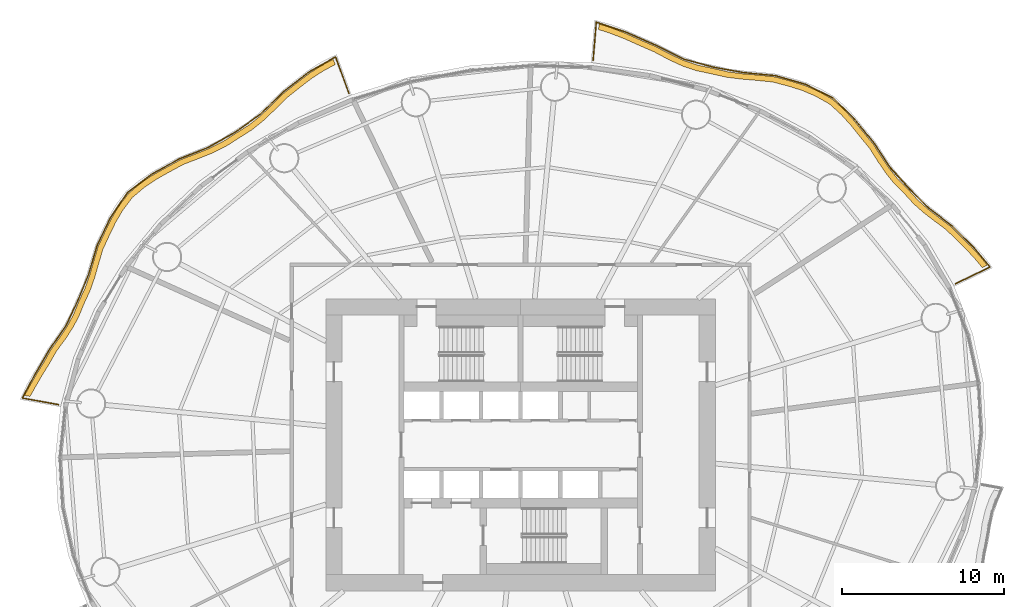
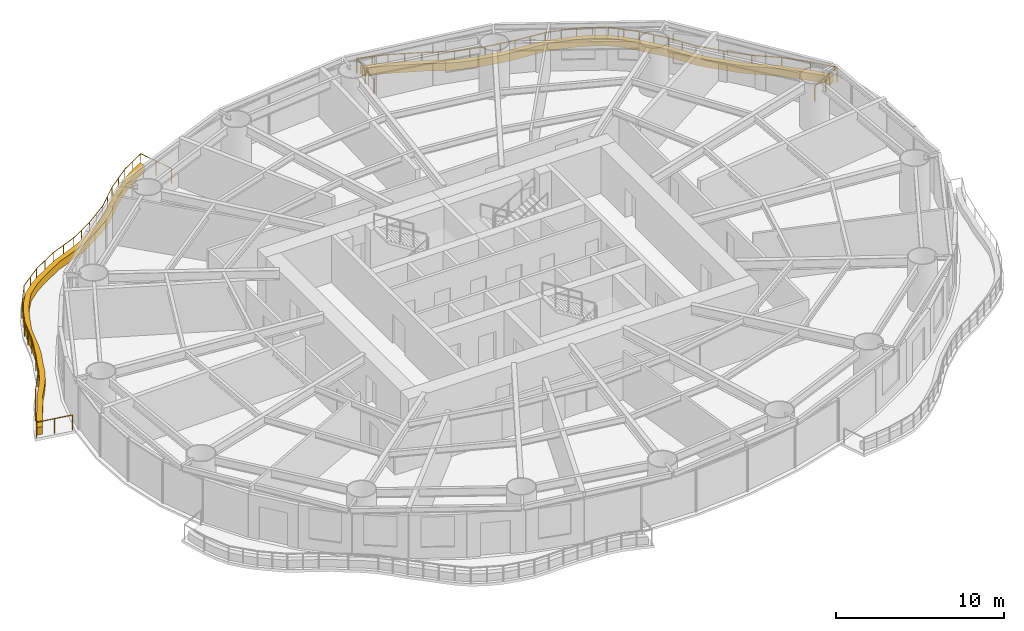
# One storey, part 16 of 16: 2 coverings, 2 railings.
"""IFC4 building model written with IfcOpenShell, lengths in metres."""

from ifc_helpers import new_model, si_unit, direction, frame, origin, origin_2d, place, context, subcontext, project, spatial, polyline, circle, outline, extrude, material, type_object, element, save


model = new_model("IFC4")

# Units and contexts
model_context = context("Model", 3, precision=1e-05, world=origin(), true_north=direction((0.0, 1.0)))
body_context = subcontext(model_context, "Body", "Model", "MODEL_VIEW")
ifc_project = project(units=[si_unit("LENGTHUNIT", "METRE"), si_unit("AREAUNIT", "SQUARE_METRE"), si_unit("VOLUMEUNIT", "CUBIC_METRE"), si_unit("PLANEANGLEUNIT", "RADIAN"), si_unit("MASSUNIT", "GRAM", prefix="KILO")], contexts=[model_context])

# Site, building, storey
site_placement = place(None, origin())
site = spatial("IfcSite", under=ifc_project, at=site_placement, CompositionType="ELEMENT")
building_placement = place(site_placement, origin())
building = spatial("IfcBuilding", under=site, at=building_placement, Name="Vermilion Reach Broadcast Tower", CompositionType="ELEMENT")
storey_placement = place(building_placement, frame((0.0, 0.0, 65.60009765625)))
storey = spatial("IfcBuildingStorey", under=building, at=storey_placement, Name="L13", CompositionType="ELEMENT", Elevation=65.60009765625)

# Coverings
ifc_material_1 = material(Name="Planting soil and greenery")
covering_type = type_object("IfcCoveringType", Name="Balcony PLANTER", PredefinedType="USERDEFINED", material=ifc_material_1)
placement = place(storey_placement, origin())
element("IfcCovering", 1, at=placement, inside=storey, type_object=covering_type, Name="PLANTER L13 group 1", ObjectType="PLANTER", PredefinedType="USERDEFINED", context=body_context, shape_type="SweptSolid", body=[
    extrude(outline(polyline([(22.75390625, 11.072509765625), (22.3193359375, 11.603271484375), (21.771240234375, 12.19873046875), (21.18408203125, 12.77099609375), (20.517333984375, 13.44189453125), (19.75, 14.021484375), (19.091064453125, 14.52734375), (18.48046875, 15.07177734375), (17.884765625, 15.724365234375), (17.2470703125, 16.36279296875), (16.72314453125, 17.01318359375), (16.247802734375, 17.71533203125), (15.724853515625, 18.527099609375), (15.09228515625, 19.2919921875), (14.539306640625, 19.979248046875), (13.95751953125, 20.6259765625), (13.205078125, 21.301513671875), (12.309326171875, 21.803466796875), (11.504638671875, 22.144775390625), (10.658203125, 22.408203125), (9.675048828125, 22.671630859375), (8.633544921875, 22.783935546875), (7.70751953125, 22.859619140625), (6.797607421875, 22.977783203125), (5.8564453125, 23.19189453125), (4.903076171875, 23.394287109375), (4.038818359375, 23.686767578125), (3.198486328125, 24.073974609375), (2.292724609375, 24.552490234375), (1.32958984375, 24.96630859375), (0.45068359375, 25.359619140625), (-0.435546875, 25.701416015625), (-1.16796875, 25.934326171875), (-1.19677734375, 25.585693359375), (-0.4833984375, 25.354736328125), (0.40283203125, 25.012939453125), (1.28173828125, 24.61962890625), (2.225341796875, 24.208984375), (3.11181640625, 23.73486328125), (3.9521484375, 23.34765625), (4.81640625, 23.05517578125), (5.75, 22.8583984375), (6.672119140625, 22.651123046875), (7.581787109375, 22.532958984375), (8.508056640625, 22.457275390625), (9.52978515625, 22.353271484375), (10.493896484375, 22.099365234375), (11.340087890625, 21.8359375), (12.144775390625, 21.494384765625), (13.021240234375, 21.003662109375), (13.7548828125, 20.340576171875), (14.336669921875, 19.69384765625), (14.8896484375, 19.006591796875), (15.50341796875, 18.256103515625), (16.008544921875, 17.4599609375), (16.48388671875, 16.757568359375), (17.0078125, 16.107421875), (17.6279296875, 15.486572265625), (18.20751953125, 14.852783203125), (18.81787109375, 14.308349609375), (19.47705078125, 13.802490234375), (20.228759765625, 13.243896484375), (20.881591796875, 12.594970703125), (21.46875, 12.022705078125), (22.0166015625, 11.427490234375), (22.438720703125, 10.92041015625), (22.75390625, 11.072509765625)])), origin(), (0.0, 0.0, 1.0), 0.5498046875),
])
element("IfcCovering", 2, at=placement, inside=storey, type_object=covering_type, Name="PLANTER L13 group 2", ObjectType="PLANTER", PredefinedType="USERDEFINED", context=body_context, shape_type="SweptSolid", body=[
    extrude(outline(polyline([(-17.538330078125, 23.75390625), (-18.2158203125, 23.407958984375), (-19.00439453125, 22.901123046875), (-19.76171875, 22.321533203125), (-20.592529296875, 21.6650390625), (-21.33447265625, 20.931640625), (-22.013671875, 20.285400390625), (-22.73193359375, 19.708251953125), (-23.55419921875, 19.189453125), (-24.358642578125, 18.67431640625), (-25.169921875, 18.2724609375), (-26.02392578125, 17.92822265625), (-26.9873046875, 17.55029296875), (-27.8759765625, 17.0654296875), (-28.6591796875, 16.62646484375), (-29.39404296875, 16.13623046875), (-30.1806640625, 15.471435546875), (-30.78564453125, 14.666259765625), (-31.22216796875, 13.926513671875), (-31.60302734375, 13.1416015625), (-32.0283203125, 12.23291015625), (-32.311279296875, 11.291015625), (-32.548583984375, 10.466552734375), (-32.82958984375, 9.668701171875), (-33.214111328125, 8.844970703125), (-33.548583984375, 8.027587890625), (-33.931884765625, 7.314208984375), (-34.385498046875, 6.63134765625), (-34.9375, 5.87109375), (-35.39306640625, 5.060546875), (-35.825927734375, 4.35791015625), (-36.236328125, 3.649169921875), (-36.570068359375, 3.044189453125), (-36.225830078125, 2.98095703125), (-35.89794921875, 3.559814453125), (-35.487548828125, 4.268310546875), (-35.0546875, 4.970947265625), (-34.60693359375, 5.756591796875), (-34.064208984375, 6.492431640625), (-33.6103515625, 7.17529296875), (-33.227294921875, 7.888671875), (-32.9033203125, 8.683837890625), (-32.531005859375, 9.48583984375), (-32.250244140625, 10.283447265625), (-32.012939453125, 11.108154296875), (-31.7431640625, 12.0302734375), (-31.33203125, 12.920166015625), (-30.951171875, 13.705078125), (-30.5146484375, 14.444580078125), (-29.924560546875, 15.23291015625), (-29.15380859375, 15.8818359375), (-28.4189453125, 16.3720703125), (-27.635498046875, 16.81103515625), (-26.7626953125, 17.28173828125), (-25.81640625, 17.646484375), (-24.96240234375, 17.99072265625), (-24.15087890625, 18.392578125), (-23.363525390625, 18.89599609375), (-22.55859375, 19.404052734375), (-21.84033203125, 19.9814453125), (-21.1611328125, 20.62744140625), (-20.436767578125, 21.3515625), (-19.623779296875, 21.999755859375), (-18.866455078125, 22.57958984375), (-18.077880859375, 23.086181640625), (-17.418212890625, 23.425048828125), (-17.538330078125, 23.75390625)])), origin(), (0.0, 0.0, 1.0), 0.5498046875),
])

# Railings
ifc_material_2 = material(Name="Stainless steel 316 balustrade", Category="steel")
railing_type = type_object("IfcRailingType", Name="Balcony guard 1100", PredefinedType="BALUSTRADE", material=ifc_material_2)
railing_1_placement = place(storey_placement, frame((20.793212890625, 9.927490234375, 0.0)))
element("IfcRailing", 3, at=railing_1_placement, inside=storey, type_object=railing_type, Name="Balcony guard L13 group 1", PredefinedType="BALUSTRADE", context=body_context, shape_type="SweptSolid", body=[
    extrude(circle(Radius=0.02490234375, at=origin_2d()), frame((0.0, 0.0, 1.0751953125), z_axis=(0.900695597761, 0.434450733886, 0.0), x_axis=(-0.434450733886, 0.900695597761, 0.0)), (0.0, 0.0, 1.0), 2.357421875),
    extrude(circle(Radius=0.02490234375, at=origin_2d()), frame((2.123291015625, 1.024169921875, 1.0751953125), z_axis=(-0.641357447659, 0.767242220118, 0.0), x_axis=(-0.767242220118, -0.641357447659, 0.0)), (0.0, 0.0, 1.0), 1.677490234375),
    extrude(circle(Radius=0.02490234375, at=origin_2d()), frame((1.04736328125, 2.311279296875, 1.0751953125), z_axis=(-0.709582526119, 0.704622337587, 0.0), x_axis=(-0.704622337587, -0.709582526119, 0.0)), (0.0, 0.0, 1.0), 1.77197265625),
    extrude(circle(Radius=0.02490234375, at=origin_2d()), frame((-0.2099609375, 3.559814453125, 1.0751953125), z_axis=(-0.795216579721, 0.606325483001, 0.0), x_axis=(-0.606325483001, -0.795216579721, 0.0)), (0.0, 0.0, 1.0), 1.7978515625),
    extrude(circle(Radius=0.02490234375, at=origin_2d()), frame((-1.6396484375, 4.64990234375, 1.0751953125), z_axis=(-0.709608019693, 0.704596663622, 0.0), x_axis=(-0.704596663622, -0.709608019693, 0.0)), (0.0, 0.0, 1.0), 1.705078125),
    extrude(circle(Radius=0.02490234375, at=origin_2d()), frame((-2.849609375, 5.851318359375, 1.0751953125), z_axis=(-0.669700529797, 0.74263126812, 0.0), x_axis=(-0.74263126812, -0.669700529797, 0.0)), (0.0, 0.0, 1.0), 1.74072265625),
    extrude(circle(Radius=0.02490234375, at=origin_2d()), frame((-4.015380859375, 7.14404296875, 1.0751953125), z_axis=(-0.551163819788, 0.834397054019, 0.0), x_axis=(-0.834397054019, -0.551163819788, 0.0)), (0.0, 0.0, 1.0), 1.81884765625),
    extrude(circle(Radius=0.02490234375, at=origin_2d()), frame((-5.017822265625, 8.66162109375, 1.0751953125), z_axis=(-0.632912387663, 0.77422342353, 0.0), x_axis=(-0.77422342353, -0.632912387663, 0.0)), (0.0, 0.0, 1.0), 1.879638671875),
    extrude(circle(Radius=0.02490234375, at=origin_2d()), frame((-6.20751953125, 10.116943359375, 1.0751953125), z_axis=(-0.710726930937, 0.70346800186, 0.0), x_axis=(-0.70346800186, -0.710726930937, 0.0)), (0.0, 0.0, 1.0), 1.883544921875),
    extrude(circle(Radius=0.02490234375, at=origin_2d()), frame((-7.546142578125, 11.44189453125, 1.0751953125), z_axis=(-0.895731749753, 0.444594908298, 0.0), x_axis=(-0.444594908298, -0.895731749753, 0.0)), (0.0, 0.0, 1.0), 1.9033203125),
    extrude(circle(Radius=0.02490234375, at=origin_2d()), frame((-9.2509765625, 12.2880859375, 1.0751953125), z_axis=(-0.960855027378, 0.277051649268, 0.0), x_axis=(-0.277051649268, -0.960855027378, 0.0)), (0.0, 0.0, 1.0), 1.90869140625),
    extrude(circle(Radius=0.02490234375, at=origin_2d()), frame((-11.0849609375, 12.81689453125, 1.0751953125), z_axis=(-0.995394116511, 0.095867370964, 0.0), x_axis=(-0.095867370964, -0.995394116511, 0.0)), (0.0, 0.0, 1.0), 1.981201171875),
    extrude(circle(Radius=0.02490234375, at=origin_2d()), frame((-13.05712890625, 13.0068359375, 1.0751953125), z_axis=(-0.984205894573, 0.177027560248, 0.0), x_axis=(-0.177027560248, -0.984205894573, 0.0)), (0.0, 0.0, 1.0), 1.88525390625),
    extrude(circle(Radius=0.02490234375, at=origin_2d()), frame((-14.91259765625, 13.340576171875, 1.0751953125), z_axis=(-0.964874128134, 0.262712612672, 0.0), x_axis=(-0.262712612672, -0.964874128134, 0.0)), (0.0, 0.0, 1.0), 1.888427734375),
    extrude(circle(Radius=0.02490234375, at=origin_2d()), frame((-16.734619140625, 13.836669921875, 1.0751953125), z_axis=(-0.896120484945, 0.44381085663, 0.0), x_axis=(-0.44381085663, -0.896120484945, 0.0)), (0.0, 0.0, 1.0), 1.953369140625),
    extrude(circle(Radius=0.02490234375, at=origin_2d()), frame((-18.485107421875, 14.70361328125, 1.0751953125), z_axis=(-0.916148994216, 0.400837897906, 0.0), x_axis=(-0.400837897906, -0.916148994216, 0.0)), (0.0, 0.0, 1.0), 2.015380859375),
    extrude(circle(Radius=0.02490234375, at=origin_2d()), frame((-20.33154296875, 15.511474609375, 1.0751953125), z_axis=(-0.948786111242, 0.315919159144, 0.0), x_axis=(-0.315919159144, -0.948786111242, 0.0)), (0.0, 0.0, 1.0), 1.898681640625),
    extrude(circle(Radius=0.02490234375, at=origin_2d()), frame((-22.133056640625, 16.111328125, 1.0751953125), z_axis=(-0.082256681355, -0.996611177126, 0.0), x_axis=(0.996611177126, -0.082256681355, 0.0)), (0.0, 0.0, 1.0), 2.356689453125),
    extrude(circle(Radius=0.02490234375, at=origin_2d()), origin(), (0.0, 0.0, 1.0), 1.050048828125),
    extrude(circle(Radius=0.02490234375, at=origin_2d()), frame((1.0615234375, 0.51220703125, 0.0)), (0.0, 0.0, 1.0), 1.050048828125),
    extrude(circle(Radius=0.02490234375, at=origin_2d()), frame((2.123291015625, 1.024169921875, 0.0)), (0.0, 0.0, 1.0), 1.050048828125),
    extrude(circle(Radius=0.02490234375, at=origin_2d()), frame((1.04736328125, 2.311279296875, 0.0)), (0.0, 0.0, 1.0), 1.050048828125),
    extrude(circle(Radius=0.02490234375, at=origin_2d()), frame((-0.2099609375, 3.559814453125, 0.0)), (0.0, 0.0, 1.0), 1.050048828125),
    extrude(circle(Radius=0.02490234375, at=origin_2d()), frame((-1.6396484375, 4.64990234375, 0.0)), (0.0, 0.0, 1.0), 1.050048828125),
    extrude(circle(Radius=0.02490234375, at=origin_2d()), frame((-2.849609375, 5.851318359375, 0.0)), (0.0, 0.0, 1.0), 1.050048828125),
    extrude(circle(Radius=0.02490234375, at=origin_2d()), frame((-4.015380859375, 7.14404296875, 0.0)), (0.0, 0.0, 1.0), 1.050048828125),
    extrude(circle(Radius=0.02490234375, at=origin_2d()), frame((-4.5166015625, 7.90283203125, 0.0)), (0.0, 0.0, 1.0), 1.050048828125),
    extrude(circle(Radius=0.02490234375, at=origin_2d()), frame((-5.017822265625, 8.66162109375, 0.0)), (0.0, 0.0, 1.0), 1.050048828125),
    extrude(circle(Radius=0.02490234375, at=origin_2d()), frame((-5.61279296875, 9.38916015625, 0.0)), (0.0, 0.0, 1.0), 1.050048828125),
    extrude(circle(Radius=0.02490234375, at=origin_2d()), frame((-6.20751953125, 10.116943359375, 0.0)), (0.0, 0.0, 1.0), 1.050048828125),
    extrude(circle(Radius=0.02490234375, at=origin_2d()), frame((-6.876953125, 10.779296875, 0.0)), (0.0, 0.0, 1.0), 1.050048828125),
    extrude(circle(Radius=0.02490234375, at=origin_2d()), frame((-7.546142578125, 11.44189453125, 0.0)), (0.0, 0.0, 1.0), 1.050048828125),
    extrude(circle(Radius=0.02490234375, at=origin_2d()), frame((-8.3984375, 11.864990234375, 0.0)), (0.0, 0.0, 1.0), 1.050048828125),
    extrude(circle(Radius=0.02490234375, at=origin_2d()), frame((-9.2509765625, 12.2880859375, 0.0)), (0.0, 0.0, 1.0), 1.050048828125),
    extrude(circle(Radius=0.02490234375, at=origin_2d()), frame((-10.16796875, 12.552490234375, 0.0)), (0.0, 0.0, 1.0), 1.050048828125),
    extrude(circle(Radius=0.02490234375, at=origin_2d()), frame((-11.0849609375, 12.81689453125, 0.0)), (0.0, 0.0, 1.0), 1.050048828125),
    extrude(circle(Radius=0.02490234375, at=origin_2d()), frame((-12.071044921875, 12.911865234375, 0.0)), (0.0, 0.0, 1.0), 1.050048828125),
    extrude(circle(Radius=0.02490234375, at=origin_2d()), frame((-13.05712890625, 13.0068359375, 0.0)), (0.0, 0.0, 1.0), 1.050048828125),
    extrude(circle(Radius=0.02490234375, at=origin_2d()), frame((-13.98486328125, 13.173828125, 0.0)), (0.0, 0.0, 1.0), 1.050048828125),
    extrude(circle(Radius=0.02490234375, at=origin_2d()), frame((-14.91259765625, 13.340576171875, 0.0)), (0.0, 0.0, 1.0), 1.050048828125),
    extrude(circle(Radius=0.02490234375, at=origin_2d()), frame((-15.82373046875, 13.588623046875, 0.0)), (0.0, 0.0, 1.0), 1.050048828125),
    extrude(circle(Radius=0.02490234375, at=origin_2d()), frame((-16.734619140625, 13.836669921875, 0.0)), (0.0, 0.0, 1.0), 1.050048828125),
    extrude(circle(Radius=0.02490234375, at=origin_2d()), frame((-17.60986328125, 14.27001953125, 0.0)), (0.0, 0.0, 1.0), 1.050048828125),
    extrude(circle(Radius=0.02490234375, at=origin_2d()), frame((-18.485107421875, 14.70361328125, 0.0)), (0.0, 0.0, 1.0), 1.050048828125),
    extrude(circle(Radius=0.02490234375, at=origin_2d()), frame((-19.408203125, 15.107421875, 0.0)), (0.0, 0.0, 1.0), 1.050048828125),
    extrude(circle(Radius=0.02490234375, at=origin_2d()), frame((-20.33154296875, 15.511474609375, 0.0)), (0.0, 0.0, 1.0), 1.050048828125),
    extrude(circle(Radius=0.02490234375, at=origin_2d()), frame((-21.232421875, 15.8115234375, 0.0)), (0.0, 0.0, 1.0), 1.050048828125),
    extrude(circle(Radius=0.02490234375, at=origin_2d()), frame((-22.133056640625, 16.111328125, 0.0)), (0.0, 0.0, 1.0), 1.050048828125),
    extrude(circle(Radius=0.02490234375, at=origin_2d()), frame((-22.22998046875, 14.93701171875, 0.0)), (0.0, 0.0, 1.0), 1.050048828125),
    extrude(circle(Radius=0.02490234375, at=origin_2d()), frame((-22.326904296875, 13.7626953125, 0.0)), (0.0, 0.0, 1.0), 1.050048828125),
])
railing_2_placement = place(storey_placement, frame((-16.58203125, 21.6611328125, 0.0)))
element("IfcRailing", 4, at=railing_2_placement, inside=storey, type_object=railing_type, Name="Balcony guard L13 group 2", PredefinedType="BALUSTRADE", context=body_context, shape_type="SweptSolid", body=[
    extrude(circle(Radius=0.02490234375, at=origin_2d()), frame((0.0, 0.0, 1.0751953125), z_axis=(-0.343321538058, 0.939217930784, 0.0), x_axis=(-0.939217930784, -0.343321538058, 0.0)), (0.0, 0.0, 1.0), 2.383544921875),
    extrude(circle(Radius=0.02490234375, at=origin_2d()), frame((-0.818359375, 2.23876953125, 1.0751953125), z_axis=(-0.870393420942, -0.492356875428, 0.0), x_axis=(0.492356875428, -0.870393420942, 0.0)), (0.0, 0.0, 1.0), 1.87939453125),
    extrude(circle(Radius=0.02490234375, at=origin_2d()), frame((-2.4541015625, 1.3134765625, 1.0751953125), z_axis=(-0.789404361609, -0.613873565054, 0.0), x_axis=(0.613873565054, -0.789404361609, 0.0)), (0.0, 0.0, 1.0), 2.016845703125),
    extrude(circle(Radius=0.02490234375, at=origin_2d()), frame((-4.046142578125, 0.075439453125, 1.0751953125), z_axis=(-0.717969313602, -0.696074755127, 0.0), x_axis=(0.696074755127, -0.717969313602, 0.0)), (0.0, 0.0, 1.0), 1.98486328125),
    extrude(circle(Radius=0.02490234375, at=origin_2d()), frame((-5.47119140625, -1.30615234375, 1.0751953125), z_axis=(-0.814967491221, -0.579506676625, 0.0), x_axis=(0.579506676625, -0.814967491221, 0.0)), (0.0, 0.0, 1.0), 1.895263671875),
    extrude(circle(Radius=0.02490234375, at=origin_2d()), frame((-7.015869140625, -2.404541015625, 1.0751953125), z_axis=(-0.869587044382, -0.49377967986, 0.0), x_axis=(0.49377967986, -0.869587044382, 0.0)), (0.0, 0.0, 1.0), 1.862548828125),
    extrude(circle(Radius=0.02490234375, at=origin_2d()), frame((-8.635498046875, -3.32421875, 1.0751953125), z_axis=(-0.929016852609, -0.370037413742, 0.0), x_axis=(0.370037413742, -0.929016852609, 0.0)), (0.0, 0.0, 1.0), 1.960205078125),
    extrude(circle(Radius=0.02490234375, at=origin_2d()), frame((-10.45654296875, -4.049560546875, 1.0751953125), z_axis=(-0.875009911971, -0.484105003024, 0.0), x_axis=(0.484105003024, -0.875009911971, 0.0)), (0.0, 0.0, 1.0), 1.914794921875),
    extrude(circle(Radius=0.02490234375, at=origin_2d()), frame((-12.132080078125, -4.9765625, 1.0751953125), z_axis=(-0.796267798742, -0.604944288911, 0.0), x_axis=(0.604944288911, -0.796267798742, 0.0)), (0.0, 0.0, 1.0), 1.915283203125),
    extrude(circle(Radius=0.02490234375, at=origin_2d()), frame((-13.6572265625, -6.13525390625, 1.0751953125), z_axis=(-0.559246123083, -0.829001672988, 0.0), x_axis=(0.829001672988, -0.559246123083, 0.0)), (0.0, 0.0, 1.0), 1.867919921875),
    extrude(circle(Radius=0.02490234375, at=origin_2d()), frame((-14.701904296875, -7.683837890625, 1.0751953125), z_axis=(-0.430366787011, -0.902654102432, 0.0), x_axis=(0.902654102432, -0.430366787011, 0.0)), (0.0, 0.0, 1.0), 1.881103515625),
    extrude(circle(Radius=0.02490234375, at=origin_2d()), frame((-15.511474609375, -9.3818359375, 1.0751953125), z_axis=(-0.283318506289, -0.959025872432, 0.0), x_axis=(0.959025872432, -0.283318506289, 0.0)), (0.0, 0.0, 1.0), 1.8466796875),
    extrude(circle(Radius=0.02490234375, at=origin_2d()), frame((-16.03466796875, -11.15283203125, 1.0751953125), z_axis=(-0.380135224466, -0.92493092235, 0.0), x_axis=(0.92493092235, -0.380135224466, 0.0)), (0.0, 0.0, 1.0), 1.758544921875),
    extrude(circle(Radius=0.02490234375, at=origin_2d()), frame((-16.703125, -12.779296875, 1.0751953125), z_axis=(-0.424444938752, -0.905453750319, 0.0), x_axis=(0.905453750319, -0.424444938752, 0.0)), (0.0, 0.0, 1.0), 1.6962890625),
    extrude(circle(Radius=0.02490234375, at=origin_2d()), frame((-17.423095703125, -14.315185546875, 1.0751953125), z_axis=(-0.571157701956, -0.820840349578, 0.0), x_axis=(0.820840349578, -0.571157701956, 0.0)), (0.0, 0.0, 1.0), 1.764892578125),
    extrude(circle(Radius=0.02490234375, at=origin_2d()), frame((-18.43115234375, -15.763916015625, 1.0751953125), z_axis=(-0.505534401004, -0.86280644956, 0.0), x_axis=(0.86280644956, -0.505534401004, 0.0)), (0.0, 0.0, 1.0), 1.76025390625),
    extrude(circle(Radius=0.02490234375, at=origin_2d()), frame((-19.321044921875, -17.28271484375, 1.0751953125), z_axis=(-0.468285745697, -0.883577082306, 0.0), x_axis=(0.883577082306, -0.468285745697, 0.0)), (0.0, 0.0, 1.0), 1.690673828125),
    extrude(circle(Radius=0.02490234375, at=origin_2d()), frame((-20.11279296875, -18.776611328125, 1.0751953125), z_axis=(0.983603372423, -0.180345240464, 0.0), x_axis=(0.180345240464, 0.983603372423, 0.0)), (0.0, 0.0, 1.0), 2.26611328125),
    extrude(circle(Radius=0.02490234375, at=origin_2d()), origin(), (0.0, 0.0, 1.0), 1.050048828125),
    extrude(circle(Radius=0.02490234375, at=origin_2d()), frame((-0.4091796875, 1.119384765625, 0.0)), (0.0, 0.0, 1.0), 1.050048828125),
    extrude(circle(Radius=0.02490234375, at=origin_2d()), frame((-0.818359375, 2.23876953125, 0.0)), (0.0, 0.0, 1.0), 1.050048828125),
    extrude(circle(Radius=0.02490234375, at=origin_2d()), frame((-1.63623046875, 1.776123046875, 0.0)), (0.0, 0.0, 1.0), 1.050048828125),
    extrude(circle(Radius=0.02490234375, at=origin_2d()), frame((-2.4541015625, 1.3134765625, 0.0)), (0.0, 0.0, 1.0), 1.050048828125),
    extrude(circle(Radius=0.02490234375, at=origin_2d()), frame((-3.25, 0.6943359375, 0.0)), (0.0, 0.0, 1.0), 1.050048828125),
    extrude(circle(Radius=0.02490234375, at=origin_2d()), frame((-4.046142578125, 0.075439453125, 0.0)), (0.0, 0.0, 1.0), 1.050048828125),
    extrude(circle(Radius=0.02490234375, at=origin_2d()), frame((-4.7587890625, -0.615234375, 0.0)), (0.0, 0.0, 1.0), 1.050048828125),
    extrude(circle(Radius=0.02490234375, at=origin_2d()), frame((-5.47119140625, -1.30615234375, 0.0)), (0.0, 0.0, 1.0), 1.050048828125),
    extrude(circle(Radius=0.02490234375, at=origin_2d()), frame((-6.24365234375, -1.85546875, 0.0)), (0.0, 0.0, 1.0), 1.050048828125),
    extrude(circle(Radius=0.02490234375, at=origin_2d()), frame((-7.015869140625, -2.404541015625, 0.0)), (0.0, 0.0, 1.0), 1.050048828125),
    extrude(circle(Radius=0.02490234375, at=origin_2d()), frame((-7.82568359375, -2.8642578125, 0.0)), (0.0, 0.0, 1.0), 1.050048828125),
    extrude(circle(Radius=0.02490234375, at=origin_2d()), frame((-8.635498046875, -3.32421875, 0.0)), (0.0, 0.0, 1.0), 1.050048828125),
    extrude(circle(Radius=0.02490234375, at=origin_2d()), frame((-9.5458984375, -3.68701171875, 0.0)), (0.0, 0.0, 1.0), 1.050048828125),
    extrude(circle(Radius=0.02490234375, at=origin_2d()), frame((-10.45654296875, -4.049560546875, 0.0)), (0.0, 0.0, 1.0), 1.050048828125),
    extrude(circle(Radius=0.02490234375, at=origin_2d()), frame((-11.29443359375, -4.51318359375, 0.0)), (0.0, 0.0, 1.0), 1.050048828125),
    extrude(circle(Radius=0.02490234375, at=origin_2d()), frame((-12.132080078125, -4.9765625, 0.0)), (0.0, 0.0, 1.0), 1.050048828125),
    extrude(circle(Radius=0.02490234375, at=origin_2d()), frame((-12.89453125, -5.555908203125, 0.0)), (0.0, 0.0, 1.0), 1.050048828125),
    extrude(circle(Radius=0.02490234375, at=origin_2d()), frame((-13.6572265625, -6.13525390625, 0.0)), (0.0, 0.0, 1.0), 1.050048828125),
    extrude(circle(Radius=0.02490234375, at=origin_2d()), frame((-14.1796875, -6.90966796875, 0.0)), (0.0, 0.0, 1.0), 1.050048828125),
    extrude(circle(Radius=0.02490234375, at=origin_2d()), frame((-14.701904296875, -7.683837890625, 0.0)), (0.0, 0.0, 1.0), 1.050048828125),
    extrude(circle(Radius=0.02490234375, at=origin_2d()), frame((-15.106689453125, -8.53271484375, 0.0)), (0.0, 0.0, 1.0), 1.050048828125),
    extrude(circle(Radius=0.02490234375, at=origin_2d()), frame((-15.511474609375, -9.3818359375, 0.0)), (0.0, 0.0, 1.0), 1.050048828125),
    extrude(circle(Radius=0.02490234375, at=origin_2d()), frame((-15.77294921875, -10.267333984375, 0.0)), (0.0, 0.0, 1.0), 1.050048828125),
    extrude(circle(Radius=0.02490234375, at=origin_2d()), frame((-16.03466796875, -11.15283203125, 0.0)), (0.0, 0.0, 1.0), 1.050048828125),
    extrude(circle(Radius=0.02490234375, at=origin_2d()), frame((-16.703125, -12.779296875, 0.0)), (0.0, 0.0, 1.0), 1.050048828125),
    extrude(circle(Radius=0.02490234375, at=origin_2d()), frame((-17.423095703125, -14.315185546875, 0.0)), (0.0, 0.0, 1.0), 1.050048828125),
    extrude(circle(Radius=0.02490234375, at=origin_2d()), frame((-18.43115234375, -15.763916015625, 0.0)), (0.0, 0.0, 1.0), 1.050048828125),
    extrude(circle(Radius=0.02490234375, at=origin_2d()), frame((-19.321044921875, -17.28271484375, 0.0)), (0.0, 0.0, 1.0), 1.050048828125),
    extrude(circle(Radius=0.02490234375, at=origin_2d()), frame((-20.11279296875, -18.776611328125, 0.0)), (0.0, 0.0, 1.0), 1.050048828125),
    extrude(circle(Radius=0.02490234375, at=origin_2d()), frame((-18.998291015625, -18.98095703125, 0.0)), (0.0, 0.0, 1.0), 1.050048828125),
    extrude(circle(Radius=0.02490234375, at=origin_2d()), frame((-17.8837890625, -19.185302734375, 0.0)), (0.0, 0.0, 1.0), 1.050048828125),
])

save(model, "model.ifc")
